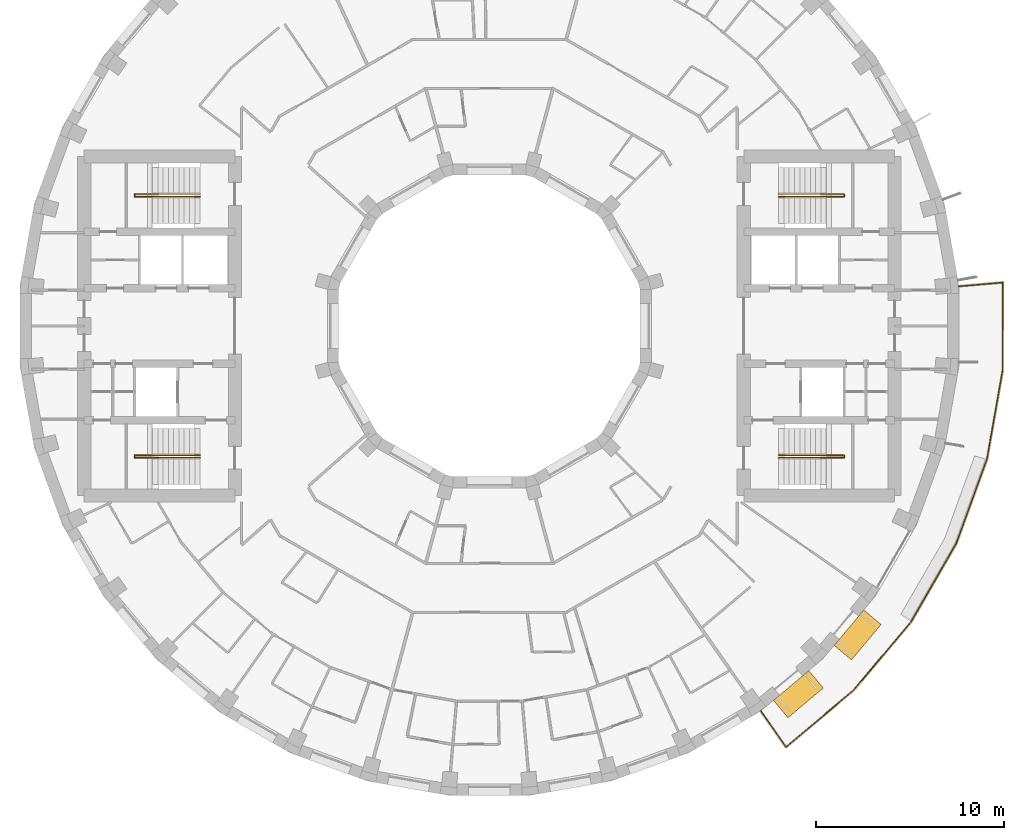
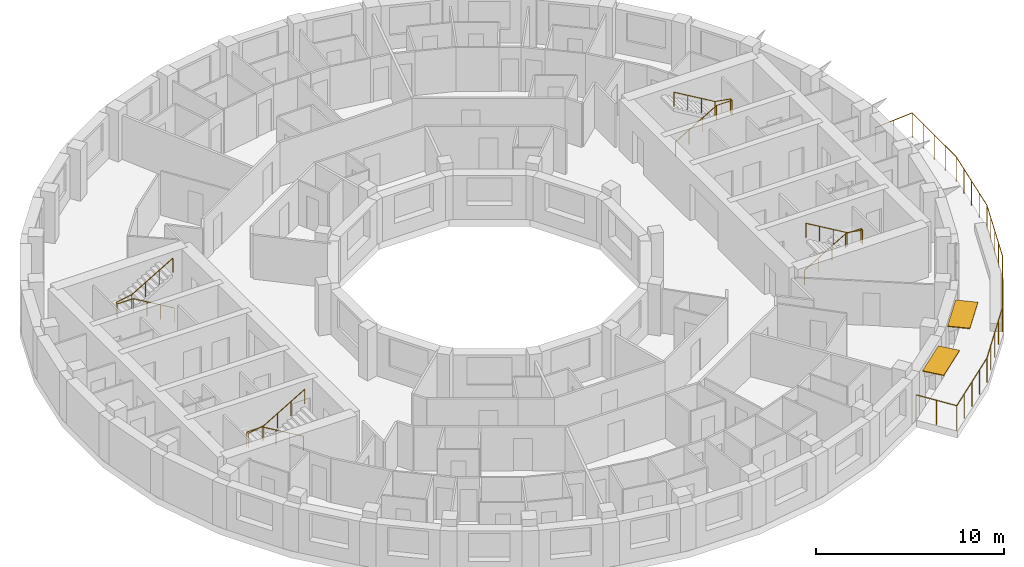
# One storey, part 14 of 14: 5 railings, 2 shading devices.
"""IFC4 building model written with IfcOpenShell, lengths in metres."""

from ifc_helpers import new_model, si_unit, direction, frame, origin, origin_2d, place, context, subcontext, project, spatial, rectangle, circle, extrude, material, layer, layer_set, type_object, element, save


model = new_model("IFC4")

# Units and contexts
model_context = context("Model", 3, precision=1e-05, world=origin(), true_north=direction((0.0, 1.0)))
body_context = subcontext(model_context, "Body", "Model", "MODEL_VIEW")
ifc_project = project(units=[si_unit("LENGTHUNIT", "METRE"), si_unit("AREAUNIT", "SQUARE_METRE"), si_unit("VOLUMEUNIT", "CUBIC_METRE"), si_unit("PLANEANGLEUNIT", "RADIAN"), si_unit("MASSUNIT", "GRAM", prefix="KILO")], contexts=[model_context])

# Site, building, storey
site_placement = place(None, origin())
site = spatial("IfcSite", under=ifc_project, at=site_placement, CompositionType="ELEMENT")
building_placement = place(site_placement, origin())
building = spatial("IfcBuilding", under=site, at=building_placement, Name="Saqina Gate Tower", CompositionType="ELEMENT")
storey_placement = place(building_placement, frame((0.0, 0.0, 177.300048828125)))
storey = spatial("IfcBuildingStorey", under=building, at=storey_placement, Name="L50", CompositionType="ELEMENT", Elevation=177.300048828125)

# Shading devices
ifc_material_1 = material(Name="Aluminium and fabric awning", Category="aluminium")
ifc_layer = layer(ifc_material_1, 0.050048828125)
ifc_layer_set = layer_set([ifc_layer], Name="AW-TERRACE")
shading_device_type = type_object("IfcShadingDeviceType", Name="AW-TERRACE", PredefinedType="AWNING", material=ifc_layer_set)
for number, where, z_axis, x_axis, name in (
    (1, (16.394287109375, -19.537841796875, 2.52490234375), (0.0, 0.0, 1.0), (0.766044443119, 0.642787609687, 0.0), "Terrace awning L50 facet 31"),
    (2, (19.537841796875, -16.394287109375, 2.52490234375), (0.0, 0.0, 1.0), (0.642787609687, 0.766044443119, 0.0), "Terrace awning L50 facet 32"),
):
    element("IfcShadingDevice", number, at=place(storey_placement, frame(where, z_axis=z_axis, x_axis=x_axis)), inside=storey, type_object=shading_device_type, Name=name, PredefinedType="AWNING", context=body_context, shape_type="SweptSolid", body=[
        extrude(rectangle(XDim=2.44970703125, YDim=1.199951171875, at=origin_2d()), origin(), (0.0, 0.0, 1.0), 0.050048828125),
    ])

# Railings
ifc_material_2 = material(Name="Stainless steel", Category="steel")
railing_type_1 = type_object("IfcRailingType", Name="RL-TERRACE", PredefinedType="GUARDRAIL", material=ifc_material_2)
railing_1_placement = place(storey_placement, frame((14.37060546875, -20.3837890625, 0.0)))
element("IfcRailing", 3, at=railing_1_placement, inside=storey, type_object=railing_type_1, Name="Terrace guard L50", PredefinedType="GUARDRAIL", context=body_context, shape_type="SweptSolid", body=[
    extrude(circle(Radius=0.02392578125, at=origin_2d()), frame((0.0, 0.0, 1.576171875), z_axis=(0.573565229124, -0.819159891559, 0.0), x_axis=(0.819159891559, 0.573565229124, 0.0)), (0.0, 0.0, 1.0), 2.388671875),
    extrude(circle(Radius=0.02392578125, at=origin_2d()), frame((1.3701171875, -1.956787109375, 1.576171875), z_axis=(0.765097689878, 0.643914221728, 0.0), x_axis=(-0.643914221728, 0.765097689878, 0.0)), (0.0, 0.0, 1.0), 4.68408203125),
    extrude(circle(Radius=0.02392578125, at=origin_2d()), frame((4.953857421875, 1.059326171875, 1.576171875), z_axis=(0.642786942402, 0.766045003037, 0.0), x_axis=(-0.766045003037, 0.642786942402, 0.0)), (0.0, 0.0, 1.0), 4.763671875),
    extrude(circle(Radius=0.02392578125, at=origin_2d()), frame((8.015869140625, 4.70849609375, 1.576171875), z_axis=(0.499997507361, 0.866026842905, 0.0), x_axis=(-0.866026842905, 0.499997507361, 0.0)), (0.0, 0.0, 1.0), 4.763671875),
    extrude(circle(Radius=0.02392578125, at=origin_2d()), frame((10.397705078125, 8.833984375, 1.576171875), z_axis=(0.342031084868, 0.939688638318, 0.0), x_axis=(-0.939688638318, 0.342031084868, 0.0)), (0.0, 0.0, 1.0), 4.763916015625),
    extrude(circle(Radius=0.02392578125, at=origin_2d()), frame((12.027099609375, 13.310546875, 1.576171875), z_axis=(0.173633303123, 0.98481037568, 0.0), x_axis=(-0.98481037568, 0.173633303123, 0.0)), (0.0, 0.0, 1.0), 4.763671875),
    extrude(circle(Radius=0.02392578125, at=origin_2d()), frame((12.854248046875, 18.001953125, 1.576171875), z_axis=(0.001459395923, 0.999998935081, 0.0), x_axis=(-0.999998935081, 0.001459395923, 0.0)), (0.0, 0.0, 1.0), 4.68408203125),
    extrude(circle(Radius=0.02392578125, at=origin_2d()), frame((12.861083984375, 22.68603515625, 1.576171875), z_axis=(-0.996192497087, -0.087180896688, 0.0), x_axis=(0.087180896688, -0.996192497087, 0.0)), (0.0, 0.0, 1.0), 2.388671875),
    extrude(circle(Radius=0.02099609375, at=origin_2d()), origin(), (0.0, 0.0, 1.0), 1.552001953125),
    extrude(circle(Radius=0.02099609375, at=origin_2d()), frame((0.68505859375, -0.978515625, 0.0)), (0.0, 0.0, 1.0), 1.552001953125),
    extrude(circle(Radius=0.02099609375, at=origin_2d()), frame((1.3701171875, -1.956787109375, 0.0)), (0.0, 0.0, 1.0), 1.552001953125),
    extrude(circle(Radius=0.02099609375, at=origin_2d()), frame((2.26611328125, -1.20263671875, 0.0)), (0.0, 0.0, 1.0), 1.552001953125),
    extrude(circle(Radius=0.02099609375, at=origin_2d()), frame((3.162109375, -0.44873046875, 0.0)), (0.0, 0.0, 1.0), 1.552001953125),
    extrude(circle(Radius=0.02099609375, at=origin_2d()), frame((4.057861328125, 0.30517578125, 0.0)), (0.0, 0.0, 1.0), 1.552001953125),
    extrude(circle(Radius=0.02099609375, at=origin_2d()), frame((4.953857421875, 1.059326171875, 0.0)), (0.0, 0.0, 1.0), 1.552001953125),
    extrude(circle(Radius=0.02099609375, at=origin_2d()), frame((5.71923828125, 1.9716796875, 0.0)), (0.0, 0.0, 1.0), 1.552001953125),
    extrude(circle(Radius=0.02099609375, at=origin_2d()), frame((6.48486328125, 2.8837890625, 0.0)), (0.0, 0.0, 1.0), 1.552001953125),
    extrude(circle(Radius=0.02099609375, at=origin_2d()), frame((7.25048828125, 3.796142578125, 0.0)), (0.0, 0.0, 1.0), 1.552001953125),
    extrude(circle(Radius=0.02099609375, at=origin_2d()), frame((8.015869140625, 4.70849609375, 0.0)), (0.0, 0.0, 1.0), 1.552001953125),
    extrude(circle(Radius=0.02099609375, at=origin_2d()), frame((8.611328125, 5.73974609375, 0.0)), (0.0, 0.0, 1.0), 1.552001953125),
    extrude(circle(Radius=0.02099609375, at=origin_2d()), frame((9.206787109375, 6.771240234375, 0.0)), (0.0, 0.0, 1.0), 1.552001953125),
    extrude(circle(Radius=0.02099609375, at=origin_2d()), frame((9.80224609375, 7.802734375, 0.0)), (0.0, 0.0, 1.0), 1.552001953125),
    extrude(circle(Radius=0.02099609375, at=origin_2d()), frame((10.397705078125, 8.833984375, 0.0)), (0.0, 0.0, 1.0), 1.552001953125),
    extrude(circle(Radius=0.02099609375, at=origin_2d()), frame((10.80517578125, 9.953125, 0.0)), (0.0, 0.0, 1.0), 1.552001953125),
    extrude(circle(Radius=0.02099609375, at=origin_2d()), frame((11.21240234375, 11.072265625, 0.0)), (0.0, 0.0, 1.0), 1.552001953125),
    extrude(circle(Radius=0.02099609375, at=origin_2d()), frame((11.61962890625, 12.19140625, 0.0)), (0.0, 0.0, 1.0), 1.552001953125),
    extrude(circle(Radius=0.02099609375, at=origin_2d()), frame((12.027099609375, 13.310546875, 0.0)), (0.0, 0.0, 1.0), 1.552001953125),
    extrude(circle(Radius=0.02099609375, at=origin_2d()), frame((12.23388671875, 14.4833984375, 0.0)), (0.0, 0.0, 1.0), 1.552001953125),
    extrude(circle(Radius=0.02099609375, at=origin_2d()), frame((12.440673828125, 15.65625, 0.0)), (0.0, 0.0, 1.0), 1.552001953125),
    extrude(circle(Radius=0.02099609375, at=origin_2d()), frame((12.6474609375, 16.8291015625, 0.0)), (0.0, 0.0, 1.0), 1.552001953125),
    extrude(circle(Radius=0.02099609375, at=origin_2d()), frame((12.854248046875, 18.001953125, 0.0)), (0.0, 0.0, 1.0), 1.552001953125),
    extrude(circle(Radius=0.02099609375, at=origin_2d()), frame((12.85595703125, 19.1728515625, 0.0)), (0.0, 0.0, 1.0), 1.552001953125),
    extrude(circle(Radius=0.02099609375, at=origin_2d()), frame((12.857666015625, 20.343994140625, 0.0)), (0.0, 0.0, 1.0), 1.552001953125),
    extrude(circle(Radius=0.02099609375, at=origin_2d()), frame((12.859375, 21.51513671875, 0.0)), (0.0, 0.0, 1.0), 1.552001953125),
    extrude(circle(Radius=0.02099609375, at=origin_2d()), frame((12.861083984375, 22.68603515625, 0.0)), (0.0, 0.0, 1.0), 1.552001953125),
    extrude(circle(Radius=0.02099609375, at=origin_2d()), frame((11.67138671875, 22.58203125, 0.0)), (0.0, 0.0, 1.0), 1.552001953125),
    extrude(circle(Radius=0.02099609375, at=origin_2d()), frame((10.4814453125, 22.477783203125, 0.0)), (0.0, 0.0, 1.0), 1.552001953125),
])
ifc_material_3 = material(Name="Stainless steel", Category="steel")
railing_type_2 = type_object("IfcRailingType", Name="STAIR HANDRAIL", PredefinedType="HANDRAIL", material=ifc_material_3)
railing_2_placement = place(storey_placement, frame((15.35009765625, 6.85009765625, 0.1650390625)))
element("IfcRailing", 4, at=railing_2_placement, inside=storey, type_object=railing_type_2, Name="EXIT STAIR 1 HANDRAIL", PredefinedType="HANDRAIL", context=body_context, shape_type="SweptSolid", body=[
    extrude(circle(Radius=0.02392578125, at=origin_2d()), frame((0.0, 0.0, 0.92578125), z_axis=(0.861560626758, 0.0, 0.507654692109), x_axis=(0.0, 1.0, 0.0)), (0.0, 0.0, 1.0), 2.925048828125),
    extrude(circle(Radius=0.02392578125, at=origin_2d()), frame((2.52001953125, 0.0, 2.41064453125), z_axis=(1.0, 0.0, 0.0), x_axis=(0.0, 1.0, 0.0)), (0.0, 0.0, 1.0), 0.949951171875),
    extrude(circle(Radius=0.02392578125, at=origin_2d()), frame((3.469970703125, 0.0, 2.41064453125), z_axis=(0.0, 1.0, 0.0), x_axis=(-1.0, 0.0, 0.0)), (0.0, 0.0, 1.0), 0.14990234375),
    extrude(circle(Radius=0.02392578125, at=origin_2d()), frame((3.469970703125, 0.14990234375, 2.41064453125), z_axis=(-0.985241474778, 0.0, 0.171170197109), x_axis=(0.0, -1.0, 0.0)), (0.0, 0.0, 1.0), 0.964111328125),
    extrude(circle(Radius=0.02392578125, at=origin_2d()), frame((2.52001953125, 0.14990234375, 2.57568359375), z_axis=(-0.86152411907, 0.0, 0.507716645641), x_axis=(0.0, -1.0, 0.0)), (0.0, 0.0, 1.0), 2.925048828125),
    extrude(circle(Radius=0.02099609375, at=origin_2d()), origin(), (0.0, 0.0, 1.0), 0.90185546875),
    extrude(circle(Radius=0.02099609375, at=origin_2d()), frame((0.840087890625, 0.0, 0.494873046875)), (0.0, 0.0, 1.0), 0.90185546875),
    extrude(circle(Radius=0.02099609375, at=origin_2d()), frame((1.679931640625, 0.0, 0.989990234375)), (0.0, 0.0, 1.0), 0.90185546875),
    extrude(circle(Radius=0.02099609375, at=origin_2d()), frame((2.52001953125, 0.0, 1.48486328125)), (0.0, 0.0, 1.0), 0.90185546875),
    extrude(circle(Radius=0.02099609375, at=origin_2d()), frame((3.469970703125, 0.0, 1.48486328125)), (0.0, 0.0, 1.0), 0.90185546875),
    extrude(circle(Radius=0.02099609375, at=origin_2d()), frame((3.469970703125, 0.14990234375, 1.48486328125)), (0.0, 0.0, 1.0), 0.90185546875),
    extrude(circle(Radius=0.02099609375, at=origin_2d()), frame((2.52001953125, 0.14990234375, 1.64990234375)), (0.0, 0.0, 1.0), 0.90185546875),
    extrude(circle(Radius=0.02099609375, at=origin_2d()), frame((1.679931640625, 0.14990234375, 2.14501953125)), (0.0, 0.0, 1.0), 0.90185546875),
    extrude(circle(Radius=0.02099609375, at=origin_2d()), frame((0.840087890625, 0.14990234375, 2.639892578125)), (0.0, 0.0, 1.0), 0.90185546875),
    extrude(circle(Radius=0.02099609375, at=origin_2d()), frame((0.0, 0.14990234375, 3.135009765625)), (0.0, 0.0, 1.0), 0.90185546875),
])
railing_3_placement = place(storey_placement, frame((15.35009765625, -6.85009765625, 0.1650390625)))
element("IfcRailing", 5, at=railing_3_placement, inside=storey, type_object=railing_type_2, Name="EXIT STAIR 2 HANDRAIL", PredefinedType="HANDRAIL", context=body_context, shape_type="SweptSolid", body=[
    extrude(circle(Radius=0.02392578125, at=origin_2d()), frame((0.0, 0.0, 0.92578125), z_axis=(0.861560626758, 0.0, 0.507654692109), x_axis=(0.0, 1.0, 0.0)), (0.0, 0.0, 1.0), 2.925048828125),
    extrude(circle(Radius=0.02392578125, at=origin_2d()), frame((2.52001953125, 0.0, 2.41064453125), z_axis=(1.0, 0.0, 0.0), x_axis=(0.0, 1.0, 0.0)), (0.0, 0.0, 1.0), 0.949951171875),
    extrude(circle(Radius=0.02392578125, at=origin_2d()), frame((3.469970703125, 0.0, 2.41064453125), z_axis=(0.0, -1.0, 0.0), x_axis=(1.0, 0.0, 0.0)), (0.0, 0.0, 1.0), 0.14990234375),
    extrude(circle(Radius=0.02392578125, at=origin_2d()), frame((3.469970703125, -0.14990234375, 2.41064453125), z_axis=(-0.985241474778, 0.0, 0.171170197109), x_axis=(0.0, -1.0, 0.0)), (0.0, 0.0, 1.0), 0.964111328125),
    extrude(circle(Radius=0.02392578125, at=origin_2d()), frame((2.52001953125, -0.14990234375, 2.57568359375), z_axis=(-0.86152411907, 0.0, 0.507716645641), x_axis=(0.0, -1.0, 0.0)), (0.0, 0.0, 1.0), 2.925048828125),
    extrude(circle(Radius=0.02099609375, at=origin_2d()), origin(), (0.0, 0.0, 1.0), 0.90185546875),
    extrude(circle(Radius=0.02099609375, at=origin_2d()), frame((0.840087890625, 0.0, 0.494873046875)), (0.0, 0.0, 1.0), 0.90185546875),
    extrude(circle(Radius=0.02099609375, at=origin_2d()), frame((1.679931640625, 0.0, 0.989990234375)), (0.0, 0.0, 1.0), 0.90185546875),
    extrude(circle(Radius=0.02099609375, at=origin_2d()), frame((2.52001953125, 0.0, 1.48486328125)), (0.0, 0.0, 1.0), 0.90185546875),
    extrude(circle(Radius=0.02099609375, at=origin_2d()), frame((3.469970703125, 0.0, 1.48486328125)), (0.0, 0.0, 1.0), 0.90185546875),
    extrude(circle(Radius=0.02099609375, at=origin_2d()), frame((3.469970703125, -0.14990234375, 1.48486328125)), (0.0, 0.0, 1.0), 0.90185546875),
    extrude(circle(Radius=0.02099609375, at=origin_2d()), frame((2.52001953125, -0.14990234375, 1.64990234375)), (0.0, 0.0, 1.0), 0.90185546875),
    extrude(circle(Radius=0.02099609375, at=origin_2d()), frame((1.679931640625, -0.14990234375, 2.14501953125)), (0.0, 0.0, 1.0), 0.90185546875),
    extrude(circle(Radius=0.02099609375, at=origin_2d()), frame((0.840087890625, -0.14990234375, 2.639892578125)), (0.0, 0.0, 1.0), 0.90185546875),
    extrude(circle(Radius=0.02099609375, at=origin_2d()), frame((0.0, -0.14990234375, 3.135009765625)), (0.0, 0.0, 1.0), 0.90185546875),
])
railing_4_placement = place(storey_placement, frame((-15.35009765625, 6.85009765625, 0.1650390625)))
element("IfcRailing", 6, at=railing_4_placement, inside=storey, type_object=railing_type_2, Name="EXIT STAIR 3 HANDRAIL", PredefinedType="HANDRAIL", context=body_context, shape_type="SweptSolid", body=[
    extrude(circle(Radius=0.02392578125, at=origin_2d()), frame((0.0, 0.0, 0.92578125), z_axis=(-0.861560626758, 0.0, 0.507654692109), x_axis=(0.0, -1.0, 0.0)), (0.0, 0.0, 1.0), 2.925048828125),
    extrude(circle(Radius=0.02392578125, at=origin_2d()), frame((-2.52001953125, 0.0, 2.41064453125), z_axis=(-1.0, 0.0, 0.0), x_axis=(0.0, -1.0, 0.0)), (0.0, 0.0, 1.0), 0.949951171875),
    extrude(circle(Radius=0.02392578125, at=origin_2d()), frame((-3.469970703125, 0.0, 2.41064453125), z_axis=(0.0, 1.0, 0.0), x_axis=(-1.0, 0.0, 0.0)), (0.0, 0.0, 1.0), 0.14990234375),
    extrude(circle(Radius=0.02392578125, at=origin_2d()), frame((-3.469970703125, 0.14990234375, 2.41064453125), z_axis=(0.985241474778, 0.0, 0.171170197109), x_axis=(0.0, 1.0, 0.0)), (0.0, 0.0, 1.0), 0.964111328125),
    extrude(circle(Radius=0.02392578125, at=origin_2d()), frame((-2.52001953125, 0.14990234375, 2.57568359375), z_axis=(0.86152411907, 0.0, 0.507716645641), x_axis=(0.0, 1.0, 0.0)), (0.0, 0.0, 1.0), 2.925048828125),
    extrude(circle(Radius=0.02099609375, at=origin_2d()), origin(), (0.0, 0.0, 1.0), 0.90185546875),
    extrude(circle(Radius=0.02099609375, at=origin_2d()), frame((-0.840087890625, 0.0, 0.494873046875)), (0.0, 0.0, 1.0), 0.90185546875),
    extrude(circle(Radius=0.02099609375, at=origin_2d()), frame((-1.679931640625, 0.0, 0.989990234375)), (0.0, 0.0, 1.0), 0.90185546875),
    extrude(circle(Radius=0.02099609375, at=origin_2d()), frame((-2.52001953125, 0.0, 1.48486328125)), (0.0, 0.0, 1.0), 0.90185546875),
    extrude(circle(Radius=0.02099609375, at=origin_2d()), frame((-3.469970703125, 0.0, 1.48486328125)), (0.0, 0.0, 1.0), 0.90185546875),
    extrude(circle(Radius=0.02099609375, at=origin_2d()), frame((-3.469970703125, 0.14990234375, 1.48486328125)), (0.0, 0.0, 1.0), 0.90185546875),
    extrude(circle(Radius=0.02099609375, at=origin_2d()), frame((-2.52001953125, 0.14990234375, 1.64990234375)), (0.0, 0.0, 1.0), 0.90185546875),
    extrude(circle(Radius=0.02099609375, at=origin_2d()), frame((-1.679931640625, 0.14990234375, 2.14501953125)), (0.0, 0.0, 1.0), 0.90185546875),
    extrude(circle(Radius=0.02099609375, at=origin_2d()), frame((-0.840087890625, 0.14990234375, 2.639892578125)), (0.0, 0.0, 1.0), 0.90185546875),
    extrude(circle(Radius=0.02099609375, at=origin_2d()), frame((0.0, 0.14990234375, 3.135009765625)), (0.0, 0.0, 1.0), 0.90185546875),
])
railing_5_placement = place(storey_placement, frame((-15.35009765625, -6.85009765625, 0.1650390625)))
element("IfcRailing", 7, at=railing_5_placement, inside=storey, type_object=railing_type_2, Name="EXIT STAIR 4 HANDRAIL", PredefinedType="HANDRAIL", context=body_context, shape_type="SweptSolid", body=[
    extrude(circle(Radius=0.02392578125, at=origin_2d()), frame((0.0, 0.0, 0.92578125), z_axis=(-0.861560626758, 0.0, 0.507654692109), x_axis=(0.0, -1.0, 0.0)), (0.0, 0.0, 1.0), 2.925048828125),
    extrude(circle(Radius=0.02392578125, at=origin_2d()), frame((-2.52001953125, 0.0, 2.41064453125), z_axis=(-1.0, 0.0, 0.0), x_axis=(0.0, -1.0, 0.0)), (0.0, 0.0, 1.0), 0.949951171875),
    extrude(circle(Radius=0.02392578125, at=origin_2d()), frame((-3.469970703125, 0.0, 2.41064453125), z_axis=(0.0, -1.0, 0.0), x_axis=(1.0, 0.0, 0.0)), (0.0, 0.0, 1.0), 0.14990234375),
    extrude(circle(Radius=0.02392578125, at=origin_2d()), frame((-3.469970703125, -0.14990234375, 2.41064453125), z_axis=(0.985241474778, 0.0, 0.171170197109), x_axis=(0.0, 1.0, 0.0)), (0.0, 0.0, 1.0), 0.964111328125),
    extrude(circle(Radius=0.02392578125, at=origin_2d()), frame((-2.52001953125, -0.14990234375, 2.57568359375), z_axis=(0.86152411907, 0.0, 0.507716645641), x_axis=(0.0, 1.0, 0.0)), (0.0, 0.0, 1.0), 2.925048828125),
    extrude(circle(Radius=0.02099609375, at=origin_2d()), origin(), (0.0, 0.0, 1.0), 0.90185546875),
    extrude(circle(Radius=0.02099609375, at=origin_2d()), frame((-0.840087890625, 0.0, 0.494873046875)), (0.0, 0.0, 1.0), 0.90185546875),
    extrude(circle(Radius=0.02099609375, at=origin_2d()), frame((-1.679931640625, 0.0, 0.989990234375)), (0.0, 0.0, 1.0), 0.90185546875),
    extrude(circle(Radius=0.02099609375, at=origin_2d()), frame((-2.52001953125, 0.0, 1.48486328125)), (0.0, 0.0, 1.0), 0.90185546875),
    extrude(circle(Radius=0.02099609375, at=origin_2d()), frame((-3.469970703125, 0.0, 1.48486328125)), (0.0, 0.0, 1.0), 0.90185546875),
    extrude(circle(Radius=0.02099609375, at=origin_2d()), frame((-3.469970703125, -0.14990234375, 1.48486328125)), (0.0, 0.0, 1.0), 0.90185546875),
    extrude(circle(Radius=0.02099609375, at=origin_2d()), frame((-2.52001953125, -0.14990234375, 1.64990234375)), (0.0, 0.0, 1.0), 0.90185546875),
    extrude(circle(Radius=0.02099609375, at=origin_2d()), frame((-1.679931640625, -0.14990234375, 2.14501953125)), (0.0, 0.0, 1.0), 0.90185546875),
    extrude(circle(Radius=0.02099609375, at=origin_2d()), frame((-0.840087890625, -0.14990234375, 2.639892578125)), (0.0, 0.0, 1.0), 0.90185546875),
    extrude(circle(Radius=0.02099609375, at=origin_2d()), frame((0.0, -0.14990234375, 3.135009765625)), (0.0, 0.0, 1.0), 0.90185546875),
])

save(model, "model.ifc")
